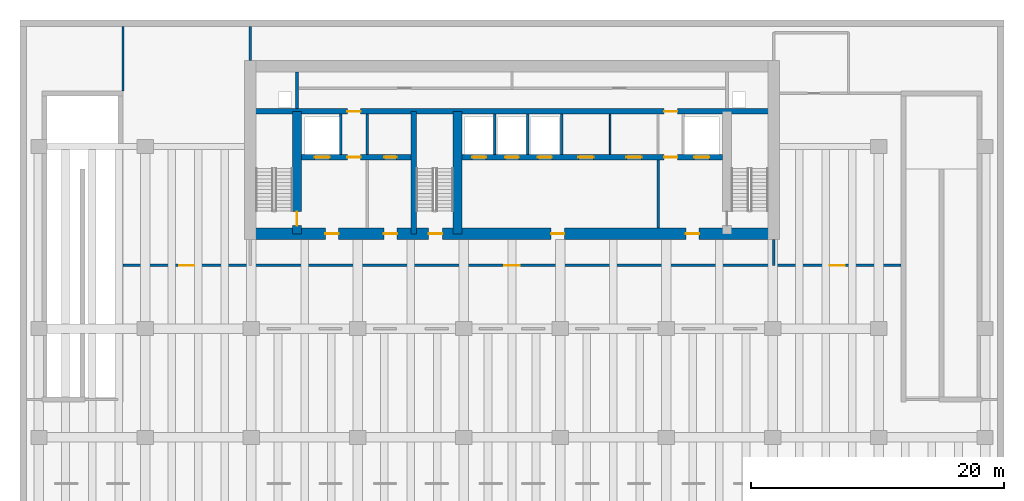
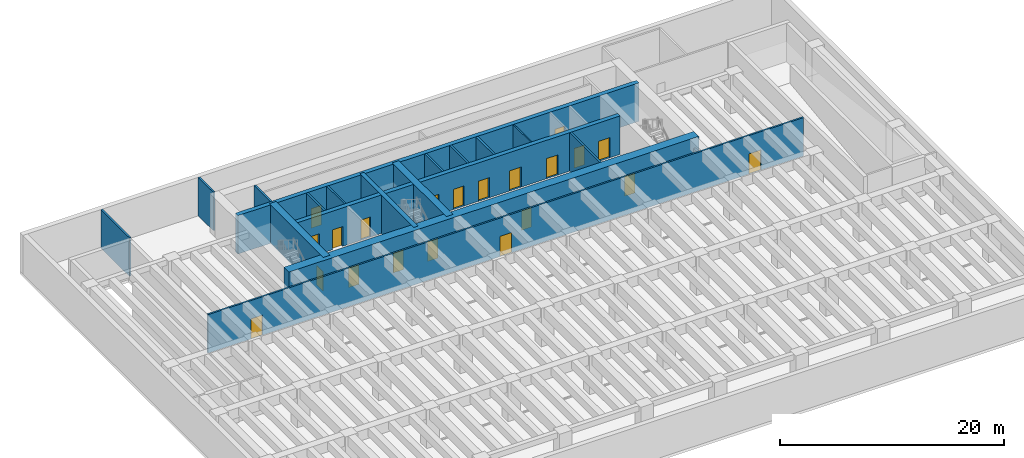
# One storey, part 3 of 8: 21 doors, 18 walls, 21 openings.
"""IFC4 building model written with IfcOpenShell, lengths in metres."""

from ifc_helpers import new_model, si_unit, direction, frame, frame_2d, origin, place, context, subcontext, project, spatial, rectangle, extrude, material, layer, layer_set, type_object, element, fill, save


model = new_model("IFC4")

# Units and contexts
model_context = context("Model", 3, precision=1e-05, world=origin(), true_north=direction((0.0, 1.0)))
body_context = subcontext(model_context, "Body", "Model", "MODEL_VIEW")
ifc_project = project(units=[si_unit("LENGTHUNIT", "METRE"), si_unit("AREAUNIT", "SQUARE_METRE"), si_unit("VOLUMEUNIT", "CUBIC_METRE"), si_unit("PLANEANGLEUNIT", "RADIAN"), si_unit("MASSUNIT", "GRAM", prefix="KILO")], contexts=[model_context])

# Site, building, storey
site_placement = place(None, origin())
site = spatial("IfcSite", under=ifc_project, at=site_placement, CompositionType="ELEMENT")
building_placement = place(site_placement, origin())
building = spatial("IfcBuilding", under=site, at=building_placement, Name="Caelmar Bay Residences", CompositionType="ELEMENT")
storey_placement = place(building_placement, frame((0.0, 0.0, -4.5)))
storey = spatial("IfcBuildingStorey", under=building, at=storey_placement, Name="B01", CompositionType="ELEMENT", Elevation=-4.5)

# Wall, opening, door
ifc_material_1 = material(Name="Concrete f'c 55 MPa (8,000 psi)", Category="concrete")
ifc_layer_1 = layer(ifc_material_1, 0.699951171875)
ifc_layer_set_1 = layer_set([ifc_layer_1], Name="Concrete f'c 55 MPa (8,000 psi)")
wall_type_1 = type_object("IfcWallType", Name="SW-COR-700", PredefinedType="SHEAR", material=ifc_layer_set_1)
wall_1_placement = place(storey_placement, frame((21.89990234375, 36.89990234375, 0.0), z_axis=(0.0, 0.0, 1.0), x_axis=(0.0, 1.0, 0.0)))
wall_1 = element("IfcWall", 1, at=wall_1_placement, inside=storey, type_object=wall_type_1, Name="B01 Core Structural Web Wall ST1E", PredefinedType="SHEAR", context=body_context, shape_type="SweptSolid", body=[
    extrude(rectangle(XDim=9.675048828125, YDim=0.699951171875, at=frame_2d((4.83740234375, 0.0))), origin(), (0.0, 0.0, 1.0), 4.199951171875),
])
opening_1_placement = place(wall_1_placement, frame((0.64990234375, 0.0, 0.0)))
opening_1 = element("IfcOpeningElement", 2, at=opening_1_placement, cuts=wall_1, Name="Opening D-B01-108", PredefinedType="OPENING", context=body_context, shape_type="SweptSolid", body=[
    extrude(rectangle(XDim=1.10009765625, YDim=2.14990234375, at=frame_2d((0.550048828125, 1.074951171875))), frame((0.0, 0.35986328125, 0.0), z_axis=(0.0, -1.0, 0.0), x_axis=(1.0, 0.0, 0.0)), (0.0, 0.0, 1.0), 0.719970703125),
])
ifc_material_2 = material(Name="Fire-rated steel and walnut architectural door assembly", Category="steel")
ifc_layer_2 = layer(ifc_material_2, 0.050048828125)
ifc_layer_set_2 = layer_set([ifc_layer_2], Name="Fire-rated steel and walnut architectural door assembly")
door_type_1 = type_object("IfcDoorType", Name="D-STAIR-1100", OperationType="NOTDEFINED", PredefinedType="DOOR", material=ifc_layer_set_2)
door_1_placement = place(opening_1_placement, origin())
door_1 = element("IfcDoor", 3, at=door_1_placement, inside=storey, type_object=door_type_1, Name="B01 Firefighting Lobby West Door", OperationType="SINGLE_SWING_LEFT", OverallHeight=2.14990234375, OverallWidth=1.10009765625, PredefinedType="DOOR", context=body_context, shape_type="SweptSolid", body=[
    extrude(rectangle(XDim=1.10009765625, YDim=2.14990234375, at=frame_2d((0.550048828125, 1.074951171875))), frame((0.0, 0.02490234375, 0.0), z_axis=(0.0, -1.0, 0.0), x_axis=(1.0, 0.0, 0.0)), (0.0, 0.0, 1.0), 0.050048828125),
])
fill(opening_1, door_1)

# Wall
wall_2_placement = place(storey_placement, frame((34.60009765625, 36.89990234375, 0.0), z_axis=(0.0, 0.0, 1.0), x_axis=(0.0, 1.0, 0.0)))
element("IfcWall", 4, at=wall_2_placement, inside=storey, type_object=wall_type_1, Name="B01 Core Structural Web Wall ST3E", PredefinedType="SHEAR", context=body_context, shape_type="SweptSolid", body=[
    extrude(rectangle(XDim=9.675048828125, YDim=0.699951171875, at=frame_2d((4.83740234375, 0.0))), origin(), (0.0, 0.0, 1.0), 4.199951171875),
])

# Wall, openings, doors
ifc_material_3 = material(Name="Concrete f'c 70 MPa (10,000 psi)", Category="concrete")
ifc_layer_3 = layer(ifc_material_3, 0.89990234375)
ifc_layer_set_3 = layer_set([ifc_layer_3], Name="Concrete f'c 70 MPa (10,000 psi)")
wall_type_2 = type_object("IfcWallType", Name="SW-COR-900", PredefinedType="SHEAR", material=ifc_layer_set_3)
wall_3_placement = place(storey_placement, frame((17.75, 36.89990234375, 0.0), z_axis=(0.0, 0.0, 1.0), x_axis=(1.0, 0.0, 0.0)))
wall_3 = element("IfcWall", 5, at=wall_3_placement, inside=storey, type_object=wall_type_2, Name="B01 Rear Core South Shear Wall", PredefinedType="SHEAR", context=body_context, shape_type="SweptSolid", body=[
    extrude(rectangle(XDim=42.300048828125, YDim=0.89990234375, at=frame_2d((21.14990234375, 0.0))), origin(), (0.0, 0.0, 1.0), 4.199951171875),
])
opening_2_placement = place(wall_3_placement, frame((14.550048828125, 0.0, 0.0)))
opening_2 = element("IfcOpeningElement", 6, at=opening_2_placement, cuts=wall_3, Name="Opening D-B01-106", PredefinedType="OPENING", context=body_context, shape_type="SweptSolid", body=[
    extrude(rectangle(XDim=1.10009765625, YDim=2.14990234375, at=frame_2d((0.550048828125, 1.074951171875))), frame((0.0, 0.4599609375, 0.0), z_axis=(0.0, -1.0, 0.0), x_axis=(1.0, 0.0, 0.0)), (0.0, 0.0, 1.0), 0.919921875),
])
opening_3_placement = place(wall_3_placement, frame((6.39990234375, 0.0, 0.0)))
opening_3 = element("IfcOpeningElement", 7, at=opening_3_placement, cuts=wall_3, Name="Opening D-B01-107", PredefinedType="OPENING", context=body_context, shape_type="SweptSolid", body=[
    extrude(rectangle(XDim=1.050048828125, YDim=2.14990234375, at=frame_2d((0.52490234375, 1.074951171875))), frame((0.0, 0.4599609375, 0.0), z_axis=(0.0, -1.0, 0.0), x_axis=(1.0, 0.0, 0.0)), (0.0, 0.0, 1.0), 0.919921875),
])
opening_4_placement = place(wall_3_placement, frame((34.89990234375, 0.0, 0.0)))
opening_4 = element("IfcOpeningElement", 8, at=opening_4_placement, cuts=wall_3, Name="Opening D-B01-110", PredefinedType="OPENING", context=body_context, shape_type="SweptSolid", body=[
    extrude(rectangle(XDim=1.050048828125, YDim=2.14990234375, at=frame_2d((0.52490234375, 1.074951171875))), frame((0.0, 0.4599609375, 0.0), z_axis=(0.0, -1.0, 0.0), x_axis=(1.0, 0.0, 0.0)), (0.0, 0.0, 1.0), 0.919921875),
])
opening_5_placement = place(wall_3_placement, frame((11.012451171875, 0.0, 0.0)))
opening_5 = element("IfcOpeningElement", 9, at=opening_5_placement, cuts=wall_3, Name="Opening D-B01-113", PredefinedType="OPENING", context=body_context, shape_type="SweptSolid", body=[
    extrude(rectangle(XDim=1.050048828125, YDim=2.14990234375, at=frame_2d((0.52490234375, 1.074951171875))), frame((0.0, 0.4599609375, 0.0), z_axis=(0.0, -1.0, 0.0), x_axis=(1.0, 0.0, 0.0)), (0.0, 0.0, 1.0), 0.919921875),
])
opening_6_placement = place(wall_3_placement, frame((24.25, 0.0, 0.0)))
opening_6 = element("IfcOpeningElement", 10, at=opening_6_placement, cuts=wall_3, Name="Opening D-B01-115", PredefinedType="OPENING", context=body_context, shape_type="SweptSolid", body=[
    extrude(rectangle(XDim=1.050048828125, YDim=2.14990234375, at=frame_2d((0.52490234375, 1.074951171875))), frame((0.0, 0.4599609375, 0.0), z_axis=(0.0, -1.0, 0.0), x_axis=(1.0, 0.0, 0.0)), (0.0, 0.0, 1.0), 0.919921875),
])
ifc_layer_4 = layer(ifc_material_2, 0.050048828125)
ifc_layer_set_4 = layer_set([ifc_layer_4], Name="Fire-rated steel and walnut architectural door assembly")
door_type_2 = type_object("IfcDoorType", Name="D-FSAE-1050", OperationType="NOTDEFINED", PredefinedType="DOOR", material=ifc_layer_set_4)
door_2_placement = place(opening_3_placement, origin())
door_2 = element("IfcDoor", 11, at=door_2_placement, inside=storey, type_object=door_type_2, Name="B01 Firefighting Lobby West Door", OperationType="SINGLE_SWING_RIGHT", OverallHeight=2.14990234375, OverallWidth=1.050048828125, PredefinedType="DOOR", context=body_context, shape_type="SweptSolid", body=[
    extrude(rectangle(XDim=1.050048828125, YDim=2.14990234375, at=frame_2d((0.52490234375, 1.074951171875))), frame((0.0, 0.02490234375, 0.0), z_axis=(0.0, -1.0, 0.0), x_axis=(1.0, 0.0, 0.0)), (0.0, 0.0, 1.0), 0.050048828125),
])
fill(opening_3, door_2)
door_3_placement = place(opening_4_placement, origin())
door_3 = element("IfcDoor", 12, at=door_3_placement, inside=storey, type_object=door_type_2, Name="B01 Firefighting Lobby East Door", OperationType="SINGLE_SWING_LEFT", OverallHeight=2.14990234375, OverallWidth=1.050048828125, PredefinedType="DOOR", context=body_context, shape_type="SweptSolid", body=[
    extrude(rectangle(XDim=1.050048828125, YDim=2.14990234375, at=frame_2d((0.52490234375, 1.074951171875))), frame((0.0, 0.02490234375, 0.0), z_axis=(0.0, -1.0, 0.0), x_axis=(1.0, 0.0, 0.0)), (0.0, 0.0, 1.0), 0.050048828125),
])
fill(opening_4, door_3)
door_4_placement = place(opening_5_placement, origin())
door_4 = element("IfcDoor", 13, at=door_4_placement, inside=storey, type_object=door_type_2, Name="B01 West Lift Lobby Door", OperationType="SINGLE_SWING_RIGHT", OverallHeight=2.14990234375, OverallWidth=1.050048828125, PredefinedType="DOOR", context=body_context, shape_type="SweptSolid", body=[
    extrude(rectangle(XDim=1.050048828125, YDim=2.14990234375, at=frame_2d((0.52490234375, 1.074951171875))), frame((0.0, 0.02490234375, 0.0), z_axis=(0.0, -1.0, 0.0), x_axis=(1.0, 0.0, 0.0)), (0.0, 0.0, 1.0), 0.050048828125),
])
fill(opening_5, door_4)
door_5_placement = place(opening_6_placement, origin())
door_5 = element("IfcDoor", 14, at=door_5_placement, inside=storey, type_object=door_type_2, Name="B01 Passenger Lift Lobby Door", OperationType="SINGLE_SWING_RIGHT", OverallHeight=2.14990234375, OverallWidth=1.050048828125, PredefinedType="DOOR", context=body_context, shape_type="SweptSolid", body=[
    extrude(rectangle(XDim=1.050048828125, YDim=2.14990234375, at=frame_2d((0.52490234375, 1.074951171875))), frame((0.0, 0.02490234375, 0.0), z_axis=(0.0, -1.0, 0.0), x_axis=(1.0, 0.0, 0.0)), (0.0, 0.0, 1.0), 0.050048828125),
])
fill(opening_6, door_5)
door_6_placement = place(opening_2_placement, origin())
door_6 = element("IfcDoor", 15, at=door_6_placement, inside=storey, type_object=door_type_1, Name="B01 Exit Stair ST3 Door", OperationType="SINGLE_SWING_LEFT", OverallHeight=2.14990234375, OverallWidth=1.10009765625, PredefinedType="DOOR", context=body_context, shape_type="SweptSolid", body=[
    extrude(rectangle(XDim=1.10009765625, YDim=2.14990234375, at=frame_2d((0.550048828125, 1.074951171875))), frame((0.0, 0.02490234375, 0.0), z_axis=(0.0, -1.0, 0.0), x_axis=(1.0, 0.0, 0.0)), (0.0, 0.0, 1.0), 0.050048828125),
])
fill(opening_2, door_6)

# Wall
ifc_layer_5 = layer(ifc_material_3, 0.449951171875)
ifc_layer_set_5 = layer_set([ifc_layer_5], Name="Concrete f'c 70 MPa (10,000 psi)")
wall_type_3 = type_object("IfcWallType", Name="SW-WEB-450", PredefinedType="SHEAR", material=ifc_layer_set_5)
wall_4_placement = place(storey_placement, frame((31.125, 36.89990234375, 0.0), z_axis=(0.0, 0.0, 1.0), x_axis=(0.0, 1.0, 0.0)))
element("IfcWall", 16, at=wall_4_placement, inside=storey, type_object=wall_type_3, Name="B01 Core Structural Web Wall ST3W", PredefinedType="SHEAR", context=body_context, shape_type="SweptSolid", body=[
    extrude(rectangle(XDim=9.675048828125, YDim=0.449951171875, at=frame_2d((4.83740234375, 0.0))), origin(), (0.0, 0.0, 1.0), 4.199951171875),
])

# Wall, openings, doors
wall_5_placement = place(storey_placement, frame((22.25, 42.949951171875, 0.0), z_axis=(0.0, 0.0, 1.0), x_axis=(1.0, 0.0, 0.0)))
wall_5 = element("IfcWall", 17, at=wall_5_placement, inside=storey, type_object=wall_type_3, Name="B01 Core Structural Web Wall LFR", PredefinedType="SHEAR", context=body_context, shape_type="SweptSolid", body=[
    extrude(rectangle(XDim=33.300048828125, YDim=0.449951171875, at=frame_2d((16.64990234375, 0.0))), origin(), (0.0, 0.0, 1.0), 4.199951171875),
])
opening_7_placement = place(wall_5_placement, frame((1.050048828125, 0.0, 0.0)))
opening_7 = element("IfcOpeningElement", 18, at=opening_7_placement, cuts=wall_5, Name="Opening LD2", PredefinedType="OPENING", context=body_context, shape_type="SweptSolid", body=[
    extrude(rectangle(XDim=1.199951171875, YDim=2.199951171875, at=frame_2d((0.60009765625, 1.10009765625))), frame((0.0, 0.23486328125, 0.0), z_axis=(0.0, -1.0, 0.0), x_axis=(1.0, 0.0, 0.0)), (0.0, 0.0, 1.0), 0.469970703125),
])
opening_8_placement = place(wall_5_placement, frame((31.050048828125, 0.0, 0.0)))
opening_8 = element("IfcOpeningElement", 19, at=opening_8_placement, cuts=wall_5, Name="Opening LD2", PredefinedType="OPENING", context=body_context, shape_type="SweptSolid", body=[
    extrude(rectangle(XDim=1.199951171875, YDim=2.199951171875, at=frame_2d((0.60009765625, 1.10009765625))), frame((0.0, 0.23486328125, 0.0), z_axis=(0.0, -1.0, 0.0), x_axis=(1.0, 0.0, 0.0)), (0.0, 0.0, 1.0), 0.469970703125),
])
opening_9_placement = place(wall_5_placement, frame((13.5, 0.0, 0.0)))
opening_9 = element("IfcOpeningElement", 20, at=opening_9_placement, cuts=wall_5, Name="Opening LD1", PredefinedType="OPENING", context=body_context, shape_type="SweptSolid", body=[
    extrude(rectangle(XDim=1.10009765625, YDim=2.199951171875, at=frame_2d((0.550048828125, 1.10009765625))), frame((0.0, 0.23486328125, 0.0), z_axis=(0.0, -1.0, 0.0), x_axis=(1.0, 0.0, 0.0)), (0.0, 0.0, 1.0), 0.469970703125),
])
opening_10_placement = place(wall_5_placement, frame((16.10009765625, 0.0, 0.0)))
opening_10 = element("IfcOpeningElement", 21, at=opening_10_placement, cuts=wall_5, Name="Opening LD1", PredefinedType="OPENING", context=body_context, shape_type="SweptSolid", body=[
    extrude(rectangle(XDim=1.10009765625, YDim=2.199951171875, at=frame_2d((0.550048828125, 1.10009765625))), frame((0.0, 0.23486328125, 0.0), z_axis=(0.0, -1.0, 0.0), x_axis=(1.0, 0.0, 0.0)), (0.0, 0.0, 1.0), 0.469970703125),
])
opening_11_placement = place(wall_5_placement, frame((18.699951171875, 0.0, 0.0)))
opening_11 = element("IfcOpeningElement", 22, at=opening_11_placement, cuts=wall_5, Name="Opening LD1", PredefinedType="OPENING", context=body_context, shape_type="SweptSolid", body=[
    extrude(rectangle(XDim=1.10009765625, YDim=2.199951171875, at=frame_2d((0.550048828125, 1.10009765625))), frame((0.0, 0.23486328125, 0.0), z_axis=(0.0, -1.0, 0.0), x_axis=(1.0, 0.0, 0.0)), (0.0, 0.0, 1.0), 0.469970703125),
])
opening_12_placement = place(wall_5_placement, frame((3.625, 0.0, 0.0)))
opening_12 = element("IfcOpeningElement", 23, at=opening_12_placement, cuts=wall_5, Name="Opening D-B01-109", PredefinedType="OPENING", context=body_context, shape_type="SweptSolid", body=[
    extrude(rectangle(XDim=1.050048828125, YDim=2.14990234375, at=frame_2d((0.52490234375, 1.074951171875))), frame((0.0, 0.23486328125, 0.0), z_axis=(0.0, -1.0, 0.0), x_axis=(1.0, 0.0, 0.0)), (0.0, 0.0, 1.0), 0.469970703125),
])
opening_13_placement = place(wall_5_placement, frame((28.675048828125, 0.0, 0.0)))
opening_13 = element("IfcOpeningElement", 24, at=opening_13_placement, cuts=wall_5, Name="Opening D-B01-112", PredefinedType="OPENING", context=body_context, shape_type="SweptSolid", body=[
    extrude(rectangle(XDim=1.050048828125, YDim=2.14990234375, at=frame_2d((0.52490234375, 1.074951171875))), frame((0.0, 0.23486328125, 0.0), z_axis=(0.0, -1.0, 0.0), x_axis=(1.0, 0.0, 0.0)), (0.0, 0.0, 1.0), 0.469970703125),
])
opening_14_placement = place(wall_5_placement, frame((6.53759765625, 0.0, 0.0)))
opening_14 = element("IfcOpeningElement", 25, at=opening_14_placement, cuts=wall_5, Name="Opening D-B01-114", PredefinedType="OPENING", context=body_context, shape_type="SweptSolid", body=[
    extrude(rectangle(XDim=1.0, YDim=2.199951171875, at=frame_2d((0.5, 1.10009765625))), frame((0.0, 0.23486328125, 0.0), z_axis=(0.0, -1.0, 0.0), x_axis=(1.0, 0.0, 0.0)), (0.0, 0.0, 1.0), 0.469970703125),
])
opening_15_placement = place(wall_5_placement, frame((21.89990234375, 0.0, 0.0)))
opening_15 = element("IfcOpeningElement", 26, at=opening_15_placement, cuts=wall_5, Name="Opening D-B01-116", PredefinedType="OPENING", context=body_context, shape_type="SweptSolid", body=[
    extrude(rectangle(XDim=1.199951171875, YDim=2.199951171875, at=frame_2d((0.60009765625, 1.10009765625))), frame((0.0, 0.23486328125, 0.0), z_axis=(0.0, -1.0, 0.0), x_axis=(1.0, 0.0, 0.0)), (0.0, 0.0, 1.0), 0.469970703125),
])
opening_16_placement = place(wall_5_placement, frame((25.699951171875, 0.0, 0.0)))
opening_16 = element("IfcOpeningElement", 27, at=opening_16_placement, cuts=wall_5, Name="Opening D-B01-117", PredefinedType="OPENING", context=body_context, shape_type="SweptSolid", body=[
    extrude(rectangle(XDim=1.199951171875, YDim=2.199951171875, at=frame_2d((0.60009765625, 1.10009765625))), frame((0.0, 0.23486328125, 0.0), z_axis=(0.0, -1.0, 0.0), x_axis=(1.0, 0.0, 0.0)), (0.0, 0.0, 1.0), 0.469970703125),
])
door_7_placement = place(opening_12_placement, origin())
door_7 = element("IfcDoor", 28, at=door_7_placement, inside=storey, type_object=door_type_2, Name="B01 Firefighting Lobby West Door", OperationType="SINGLE_SWING_RIGHT", OverallHeight=2.14990234375, OverallWidth=1.050048828125, PredefinedType="DOOR", context=body_context, shape_type="SweptSolid", body=[
    extrude(rectangle(XDim=1.050048828125, YDim=2.14990234375, at=frame_2d((0.52490234375, 1.074951171875))), frame((0.0, 0.02490234375, 0.0), z_axis=(0.0, -1.0, 0.0), x_axis=(1.0, 0.0, 0.0)), (0.0, 0.0, 1.0), 0.050048828125),
])
fill(opening_12, door_7)
door_8_placement = place(opening_13_placement, origin())
door_8 = element("IfcDoor", 29, at=door_8_placement, inside=storey, type_object=door_type_2, Name="B01 Firefighting Lobby East Door", OperationType="SINGLE_SWING_LEFT", OverallHeight=2.14990234375, OverallWidth=1.050048828125, PredefinedType="DOOR", context=body_context, shape_type="SweptSolid", body=[
    extrude(rectangle(XDim=1.050048828125, YDim=2.14990234375, at=frame_2d((0.52490234375, 1.074951171875))), frame((0.0, 0.02490234375, 0.0), z_axis=(0.0, -1.0, 0.0), x_axis=(1.0, 0.0, 0.0)), (0.0, 0.0, 1.0), 0.050048828125),
])
fill(opening_13, door_8)
ifc_material_4 = material(Name="Brushed bronze stainless-steel fire-rated lift landing doors", Category="steel")
ifc_layer_6 = layer(ifc_material_4, 0.050048828125)
ifc_layer_set_6 = layer_set([ifc_layer_6], Name="Brushed bronze stainless-steel fire-rated lift landing doors")
door_type_3 = type_object("IfcDoorType", Name="D-LND-1100", OperationType="DOUBLE_DOOR_SLIDING", PredefinedType="DOOR", material=ifc_layer_set_6)
door_9_placement = place(opening_9_placement, origin())
door_9 = element("IfcDoor", 30, at=door_9_placement, inside=storey, type_object=door_type_3, Name="B01 LP1 Sliding Landing Door", OperationType="DOUBLE_DOOR_SLIDING", OverallHeight=2.199951171875, OverallWidth=1.10009765625, PredefinedType="DOOR", context=body_context, shape_type="SweptSolid", body=[
    extrude(rectangle(XDim=1.10009765625, YDim=2.199951171875, at=frame_2d((0.550048828125, 1.10009765625))), frame((0.0, 0.02490234375, 0.0), z_axis=(0.0, -1.0, 0.0), x_axis=(1.0, 0.0, 0.0)), (0.0, 0.0, 1.0), 0.050048828125),
])
fill(opening_9, door_9)
door_10_placement = place(opening_10_placement, origin())
door_10 = element("IfcDoor", 31, at=door_10_placement, inside=storey, type_object=door_type_3, Name="B01 LP2 Sliding Landing Door", OperationType="DOUBLE_DOOR_SLIDING", OverallHeight=2.199951171875, OverallWidth=1.10009765625, PredefinedType="DOOR", context=body_context, shape_type="SweptSolid", body=[
    extrude(rectangle(XDim=1.10009765625, YDim=2.199951171875, at=frame_2d((0.550048828125, 1.10009765625))), frame((0.0, 0.02490234375, 0.0), z_axis=(0.0, -1.0, 0.0), x_axis=(1.0, 0.0, 0.0)), (0.0, 0.0, 1.0), 0.050048828125),
])
fill(opening_10, door_10)
door_11_placement = place(opening_11_placement, origin())
door_11 = element("IfcDoor", 32, at=door_11_placement, inside=storey, type_object=door_type_3, Name="B01 LP3 Sliding Landing Door", OperationType="DOUBLE_DOOR_SLIDING", OverallHeight=2.199951171875, OverallWidth=1.10009765625, PredefinedType="DOOR", context=body_context, shape_type="SweptSolid", body=[
    extrude(rectangle(XDim=1.10009765625, YDim=2.199951171875, at=frame_2d((0.550048828125, 1.10009765625))), frame((0.0, 0.02490234375, 0.0), z_axis=(0.0, -1.0, 0.0), x_axis=(1.0, 0.0, 0.0)), (0.0, 0.0, 1.0), 0.050048828125),
])
fill(opening_11, door_11)
ifc_material_5 = material(Name="Brushed stainless-steel FSAE sliding landing door", Category="steel")
ifc_layer_7 = layer(ifc_material_5, 0.050048828125)
ifc_layer_set_7 = layer_set([ifc_layer_7], Name="Brushed stainless-steel FSAE sliding landing door")
door_type_4 = type_object("IfcDoorType", Name="D-LND-1200", OperationType="DOUBLE_DOOR_SLIDING", PredefinedType="DOOR", material=ifc_layer_set_7)
door_12_placement = place(opening_7_placement, origin())
door_12 = element("IfcDoor", 33, at=door_12_placement, inside=storey, type_object=door_type_4, Name="B01 LF1 Sliding Landing Door", OperationType="DOUBLE_DOOR_SLIDING", OverallHeight=2.199951171875, OverallWidth=1.199951171875, PredefinedType="DOOR", context=body_context, shape_type="SweptSolid", body=[
    extrude(rectangle(XDim=1.199951171875, YDim=2.199951171875, at=frame_2d((0.60009765625, 1.10009765625))), frame((0.0, 0.02490234375, 0.0), z_axis=(0.0, -1.0, 0.0), x_axis=(1.0, 0.0, 0.0)), (0.0, 0.0, 1.0), 0.050048828125),
])
fill(opening_7, door_12)
door_13_placement = place(opening_8_placement, origin())
door_13 = element("IfcDoor", 34, at=door_13_placement, inside=storey, type_object=door_type_4, Name="B01 LF2 Sliding Landing Door", OperationType="DOUBLE_DOOR_SLIDING", OverallHeight=2.199951171875, OverallWidth=1.199951171875, PredefinedType="DOOR", context=body_context, shape_type="SweptSolid", body=[
    extrude(rectangle(XDim=1.199951171875, YDim=2.199951171875, at=frame_2d((0.60009765625, 1.10009765625))), frame((0.0, 0.02490234375, 0.0), z_axis=(0.0, -1.0, 0.0), x_axis=(1.0, 0.0, 0.0)), (0.0, 0.0, 1.0), 0.050048828125),
])
fill(opening_8, door_13)
ifc_layer_8 = layer(ifc_material_2, 0.050048828125)
ifc_layer_set_8 = layer_set([ifc_layer_8], Name="Fire-rated steel and walnut architectural door assembly")
door_type_5 = type_object("IfcDoorType", Name="D-PLANT-1200", OperationType="NOTDEFINED", PredefinedType="DOOR", material=ifc_layer_set_8)
door_14_placement = place(opening_15_placement, origin())
door_14 = element("IfcDoor", 35, at=door_14_placement, inside=storey, type_object=door_type_5, Name="B01 Basement Core Storage Door", OperationType="SINGLE_SWING_LEFT", OverallHeight=2.199951171875, OverallWidth=1.199951171875, PredefinedType="DOOR", context=body_context, shape_type="SweptSolid", body=[
    extrude(rectangle(XDim=1.199951171875, YDim=2.199951171875, at=frame_2d((0.60009765625, 1.10009765625))), frame((0.0, 0.02490234375, 0.0), z_axis=(0.0, -1.0, 0.0), x_axis=(1.0, 0.0, 0.0)), (0.0, 0.0, 1.0), 0.050048828125),
])
fill(opening_15, door_14)
door_15_placement = place(opening_16_placement, origin())
door_15 = element("IfcDoor", 36, at=door_15_placement, inside=storey, type_object=door_type_5, Name="B01 Basement Tool Closet Door", OperationType="SINGLE_SWING_RIGHT", OverallHeight=2.199951171875, OverallWidth=1.199951171875, PredefinedType="DOOR", context=body_context, shape_type="SweptSolid", body=[
    extrude(rectangle(XDim=1.199951171875, YDim=2.199951171875, at=frame_2d((0.60009765625, 1.10009765625))), frame((0.0, 0.02490234375, 0.0), z_axis=(0.0, -1.0, 0.0), x_axis=(1.0, 0.0, 0.0)), (0.0, 0.0, 1.0), 0.050048828125),
])
fill(opening_16, door_15)
ifc_layer_9 = layer(ifc_material_2, 0.050048828125)
ifc_layer_set_9 = layer_set([ifc_layer_9], Name="Fire-rated steel and walnut architectural door assembly")
door_type_6 = type_object("IfcDoorType", Name="D-UNIT-1000", OperationType="NOTDEFINED", PredefinedType="DOOR", material=ifc_layer_set_9)
door_16_placement = place(opening_14_placement, origin())
door_16 = element("IfcDoor", 37, at=door_16_placement, inside=storey, type_object=door_type_6, Name="B01 Core Equipment Closet Door", OperationType="SINGLE_SWING_LEFT", OverallHeight=2.199951171875, OverallWidth=1.0, PredefinedType="DOOR", context=body_context, shape_type="SweptSolid", body=[
    extrude(rectangle(XDim=1.0, YDim=2.199951171875, at=frame_2d((0.5, 1.10009765625))), frame((0.0, 0.02490234375, 0.0), z_axis=(0.0, -1.0, 0.0), x_axis=(1.0, 0.0, 0.0)), (0.0, 0.0, 1.0), 0.050048828125),
])
fill(opening_14, door_16)

wall_6_placement = place(storey_placement, frame((18.199951171875, 46.574951171875, 0.0), z_axis=(0.0, 0.0, 1.0), x_axis=(1.0, 0.0, 0.0)))
wall_6 = element("IfcWall", 38, at=wall_6_placement, inside=storey, type_object=wall_type_3, Name="B01 Core Structural Web Wall SRVS", PredefinedType="SHEAR", context=body_context, shape_type="SweptSolid", body=[
    extrude(rectangle(XDim=41.400146484375, YDim=0.449951171875, at=frame_2d((20.7001953125, 0.0))), origin(), (0.0, 0.0, 1.0), 4.199951171875),
])
opening_17_placement = place(wall_6_placement, frame((7.675048828125, 0.0, 0.0)))
opening_17 = element("IfcOpeningElement", 39, at=opening_17_placement, cuts=wall_6, Name="Opening D-B01-118", PredefinedType="OPENING", context=body_context, shape_type="SweptSolid", body=[
    extrude(rectangle(XDim=1.050048828125, YDim=2.14990234375, at=frame_2d((0.52490234375, 1.074951171875))), frame((0.0, 0.23486328125, 0.0), z_axis=(0.0, -1.0, 0.0), x_axis=(1.0, 0.0, 0.0)), (0.0, 0.0, 1.0), 0.469970703125),
])
opening_18_placement = place(wall_6_placement, frame((32.72509765625, 0.0, 0.0)))
opening_18 = element("IfcOpeningElement", 40, at=opening_18_placement, cuts=wall_6, Name="Opening D-B01-119", PredefinedType="OPENING", context=body_context, shape_type="SweptSolid", body=[
    extrude(rectangle(XDim=1.050048828125, YDim=2.14990234375, at=frame_2d((0.52490234375, 1.074951171875))), frame((0.0, 0.23486328125, 0.0), z_axis=(0.0, -1.0, 0.0), x_axis=(1.0, 0.0, 0.0)), (0.0, 0.0, 1.0), 0.469970703125),
])
door_17_placement = place(opening_17_placement, origin())
door_17 = element("IfcDoor", 41, at=door_17_placement, inside=storey, type_object=door_type_2, Name="B01 Core Service Corridor Door", OperationType="SINGLE_SWING_LEFT", OverallHeight=2.14990234375, OverallWidth=1.050048828125, PredefinedType="DOOR", context=body_context, shape_type="SweptSolid", body=[
    extrude(rectangle(XDim=1.050048828125, YDim=2.14990234375, at=frame_2d((0.52490234375, 1.074951171875))), frame((0.0, 0.02490234375, 0.0), z_axis=(0.0, -1.0, 0.0), x_axis=(1.0, 0.0, 0.0)), (0.0, 0.0, 1.0), 0.050048828125),
])
fill(opening_17, door_17)
door_18_placement = place(opening_18_placement, origin())
door_18 = element("IfcDoor", 42, at=door_18_placement, inside=storey, type_object=door_type_2, Name="B01 Core Service Corridor Door", OperationType="SINGLE_SWING_RIGHT", OverallHeight=2.14990234375, OverallWidth=1.050048828125, PredefinedType="DOOR", context=body_context, shape_type="SweptSolid", body=[
    extrude(rectangle(XDim=1.050048828125, YDim=2.14990234375, at=frame_2d((0.52490234375, 1.074951171875))), frame((0.0, 0.02490234375, 0.0), z_axis=(0.0, -1.0, 0.0), x_axis=(1.0, 0.0, 0.0)), (0.0, 0.0, 1.0), 0.050048828125),
])
fill(opening_18, door_18)

# Walls
ifc_material_6 = material(Name="Double-stud acoustic fire-rated gypsum partition 180 mm")
ifc_layer_10 = layer(ifc_material_6, 0.179931640625)
ifc_layer_set_10 = layer_set([ifc_layer_10], Name="Double-stud acoustic fire-rated gypsum partition 180 mm")
wall_type_4 = type_object("IfcWallType", Name="W-COR-200", PredefinedType="PARTITIONING", material=ifc_layer_set_10)
wall_7_placement = place(storey_placement, frame((8.14990234375, 48.195068359375, 0.0), z_axis=(0.0, 0.0, 1.0), x_axis=(0.0, 1.0, 0.0)))
element("IfcWall", 43, at=wall_7_placement, inside=storey, type_object=wall_type_4, Name="B01 Partition Wall V001", PredefinedType="PARTITIONING", context=body_context, shape_type="SweptSolid", body=[
    extrude(rectangle(XDim=5.10498046875, YDim=0.179931640625, at=frame_2d((2.552490234375, 0.0))), origin(), (0.0, 0.0, 1.0), 4.199951171875),
])
wall_8_placement = place(storey_placement, frame((18.199951171875, 50.60498046875, 0.0), z_axis=(0.0, 0.0, 1.0), x_axis=(0.0, 1.0, 0.0)))
element("IfcWall", 44, at=wall_8_placement, inside=storey, type_object=wall_type_4, Name="B01 Partition Wall V003", PredefinedType="PARTITIONING", context=body_context, shape_type="SweptSolid", body=[
    extrude(rectangle(XDim=2.695068359375, YDim=0.179931640625, at=frame_2d((1.34765625, 0.0))), origin(), (0.0, 0.0, 1.0), 4.199951171875),
])
wall_9_placement = place(storey_placement, frame((27.449951171875, 43.169921875, 0.0), z_axis=(0.0, 0.0, 1.0), x_axis=(0.0, 1.0, 0.0)))
element("IfcWall", 45, at=wall_9_placement, inside=storey, type_object=wall_type_4, Name="B01 Partition Wall V007", PredefinedType="PARTITIONING", context=body_context, shape_type="SweptSolid", body=[
    extrude(rectangle(XDim=3.18505859375, YDim=0.179931640625, at=frame_2d((1.592529296875, 0.0))), origin(), (0.0, 0.0, 1.0), 4.199951171875),
])
wall_10_placement = place(storey_placement, frame((59.60009765625, 34.39990234375, 0.0), z_axis=(0.0, 0.0, 1.0), x_axis=(0.0, 1.0, 0.0)))
element("IfcWall", 46, at=wall_10_placement, inside=storey, type_object=wall_type_4, Name="B01 Partition Wall V017", PredefinedType="PARTITIONING", context=body_context, shape_type="SweptSolid", body=[
    extrude(rectangle(XDim=2.045166015625, YDim=0.179931640625, at=frame_2d((1.0224609375, 0.0))), origin(), (0.0, 0.0, 1.0), 3.0849609375),
])

# Wall, openings, doors
wall_11_placement = place(storey_placement, frame((8.14990234375, 34.39990234375, 0.0), z_axis=(0.0, 0.0, 1.0), x_axis=(1.0, 0.0, 0.0)))
wall_11 = element("IfcWall", 47, at=wall_11_placement, inside=storey, type_object=wall_type_4, Name="B01 Partition Wall H024", PredefinedType="PARTITIONING", context=body_context, shape_type="SweptSolid", body=[
    extrude(rectangle(XDim=61.5, YDim=0.179931640625, at=frame_2d((30.75, 0.0))), origin(), (0.0, 0.0, 1.0), 4.199951171875),
])
opening_19_placement = place(wall_11_placement, frame((30.14990234375, 0.0, 0.0)))
opening_19 = element("IfcOpeningElement", 48, at=opening_19_placement, cuts=wall_11, Name="Opening D-B01-122", PredefinedType="OPENING", context=body_context, shape_type="SweptSolid", body=[
    extrude(rectangle(XDim=1.199951171875, YDim=2.199951171875, at=frame_2d((0.60009765625, 1.10009765625))), frame((0.0, 0.099853515625, 0.0), z_axis=(0.0, -1.0, 0.0), x_axis=(1.0, 0.0, 0.0)), (0.0, 0.0, 1.0), 0.199951171875),
])
opening_20_placement = place(wall_11_placement, frame((4.425048828125, 0.0, 0.0)))
opening_20 = element("IfcOpeningElement", 49, at=opening_20_placement, cuts=wall_11, Name="Opening D-B01-123", PredefinedType="OPENING", context=body_context, shape_type="SweptSolid", body=[
    extrude(rectangle(XDim=1.199951171875, YDim=2.199951171875, at=frame_2d((0.60009765625, 1.10009765625))), frame((0.0, 0.099853515625, 0.0), z_axis=(0.0, -1.0, 0.0), x_axis=(1.0, 0.0, 0.0)), (0.0, 0.0, 1.0), 0.199951171875),
])
opening_21_placement = place(wall_11_placement, frame((55.875, 0.0, 0.0)))
opening_21 = element("IfcOpeningElement", 50, at=opening_21_placement, cuts=wall_11, Name="Opening D-B01-124", PredefinedType="OPENING", context=body_context, shape_type="SweptSolid", body=[
    extrude(rectangle(XDim=1.199951171875, YDim=2.199951171875, at=frame_2d((0.60009765625, 1.10009765625))), frame((0.0, 0.099853515625, 0.0), z_axis=(0.0, -1.0, 0.0), x_axis=(1.0, 0.0, 0.0)), (0.0, 0.0, 1.0), 0.199951171875),
])
door_19_placement = place(opening_19_placement, origin())
door_19 = element("IfcDoor", 51, at=door_19_placement, inside=storey, type_object=door_type_5, Name="B01 Basement B01 North Parking Loop Door", OperationType="SINGLE_SWING_LEFT", OverallHeight=2.199951171875, OverallWidth=1.199951171875, PredefinedType="DOOR", context=body_context, shape_type="SweptSolid", body=[
    extrude(rectangle(XDim=1.199951171875, YDim=2.199951171875, at=frame_2d((0.60009765625, 1.10009765625))), frame((0.0, 0.02490234375, 0.0), z_axis=(0.0, -1.0, 0.0), x_axis=(1.0, 0.0, 0.0)), (0.0, 0.0, 1.0), 0.050048828125),
])
fill(opening_19, door_19)
door_20_placement = place(opening_20_placement, origin())
door_20 = element("IfcDoor", 52, at=door_20_placement, inside=storey, type_object=door_type_5, Name="B01 Resident Cycle Store Door", OperationType="SINGLE_SWING_RIGHT", OverallHeight=2.199951171875, OverallWidth=1.199951171875, PredefinedType="DOOR", context=body_context, shape_type="SweptSolid", body=[
    extrude(rectangle(XDim=1.199951171875, YDim=2.199951171875, at=frame_2d((0.60009765625, 1.10009765625))), frame((0.0, 0.02490234375, 0.0), z_axis=(0.0, -1.0, 0.0), x_axis=(1.0, 0.0, 0.0)), (0.0, 0.0, 1.0), 0.050048828125),
])
fill(opening_20, door_20)
door_21_placement = place(opening_21_placement, origin())
door_21 = element("IfcDoor", 53, at=door_21_placement, inside=storey, type_object=door_type_5, Name="B01 Primary Substation Plant Room Door", OperationType="SINGLE_SWING_LEFT", OverallHeight=2.199951171875, OverallWidth=1.199951171875, PredefinedType="DOOR", context=body_context, shape_type="SweptSolid", body=[
    extrude(rectangle(XDim=1.199951171875, YDim=2.199951171875, at=frame_2d((0.60009765625, 1.10009765625))), frame((0.0, 0.02490234375, 0.0), z_axis=(0.0, -1.0, 0.0), x_axis=(1.0, 0.0, 0.0)), (0.0, 0.0, 1.0), 0.050048828125),
])
fill(opening_21, door_21)

# Walls
ifc_material_7 = material(Name="Fire-rated masonry and gypsum shaftliner assembly 200 mm", Category="masonry")
ifc_layer_11 = layer(ifc_material_7, 0.199951171875)
ifc_layer_set_11 = layer_set([ifc_layer_11], Name="Fire-rated masonry and gypsum shaftliner assembly 200 mm")
wall_type_5 = type_object("IfcWallType", Name="W-FSAE-200", PredefinedType="PARTITIONING", material=ifc_layer_set_11)
wall_12_placement = place(storey_placement, frame((21.89990234375, 46.794921875, 0.0), z_axis=(0.0, 0.0, 1.0), x_axis=(0.0, 1.0, 0.0)))
element("IfcWall", 54, at=wall_12_placement, inside=storey, type_object=wall_type_5, Name="B01 Partition Wall V004", PredefinedType="PARTITIONING", context=body_context, shape_type="SweptSolid", body=[
    extrude(rectangle(XDim=2.91015625, YDim=0.199951171875, at=frame_2d((1.455078125, 0.0))), origin(), (0.0, 0.0, 1.0), 4.199951171875),
])
for number, where, z_axis, x_axis, name in (
    (55, (25.35009765625, 43.169921875, 0.0), (0.0, 0.0, 1.0), (0.0, 1.0, 0.0), "B01 Partition Wall V005"),
    (56, (37.550048828125, 43.169921875, 0.0), (0.0, 0.0, 1.0), (0.0, 1.0, 0.0), "B01 Partition Wall V008"),
    (57, (40.14990234375, 43.169921875, 0.0), (0.0, 0.0, 1.0), (0.0, 1.0, 0.0), "B01 Partition Wall V010"),
    (58, (42.85009765625, 43.169921875, 0.0), (0.0, 0.0, 1.0), (0.0, 1.0, 0.0), "B01 Partition Wall V011"),
):
    element("IfcWall", number, at=place(storey_placement, frame(where, z_axis=z_axis, x_axis=x_axis)), inside=storey, type_object=wall_type_5, Name=name, PredefinedType="PARTITIONING", context=body_context, shape_type="SweptSolid", body=[
        extrude(rectangle(XDim=3.18505859375, YDim=0.199951171875, at=frame_2d((1.592529296875, 0.0))), origin(), (0.0, 0.0, 1.0), 4.199951171875),
    ])
wall_13_placement = place(storey_placement, frame((50.449951171875, 37.344970703125, 0.0), z_axis=(0.0, 0.0, 1.0), x_axis=(0.0, 1.0, 0.0)))
element("IfcWall", 59, at=wall_13_placement, inside=storey, type_object=wall_type_5, Name="B01 Partition Wall V013", PredefinedType="PARTITIONING", context=body_context, shape_type="SweptSolid", body=[
    extrude(rectangle(XDim=5.385009765625, YDim=0.199951171875, at=frame_2d((2.6923828125, 0.0))), origin(), (0.0, 0.0, 1.0), 4.199951171875),
])
ifc_material_8 = material(Name="Acoustic metal-stud gypsum partition 120 mm")
ifc_layer_12 = layer(ifc_material_8, 0.1201171875)
ifc_layer_set_12 = layer_set([ifc_layer_12], Name="Acoustic metal-stud gypsum partition 120 mm")
wall_type_6 = type_object("IfcWallType", Name="W-PRT-120", PredefinedType="PARTITIONING", material=ifc_layer_set_12)
wall_14_placement = place(storey_placement, frame((46.64990234375, 43.169921875, 0.0), z_axis=(0.0, 0.0, 1.0), x_axis=(0.0, 1.0, 0.0)))
element("IfcWall", 60, at=wall_14_placement, inside=storey, type_object=wall_type_6, Name="B01 Partition Wall V012", PredefinedType="PARTITIONING", context=body_context, shape_type="SweptSolid", body=[
    extrude(rectangle(XDim=3.18505859375, YDim=0.1201171875, at=frame_2d((1.592529296875, 0.0))), origin(), (0.0, 0.0, 1.0), 4.199951171875),
])

save(model, "model.ifc")
